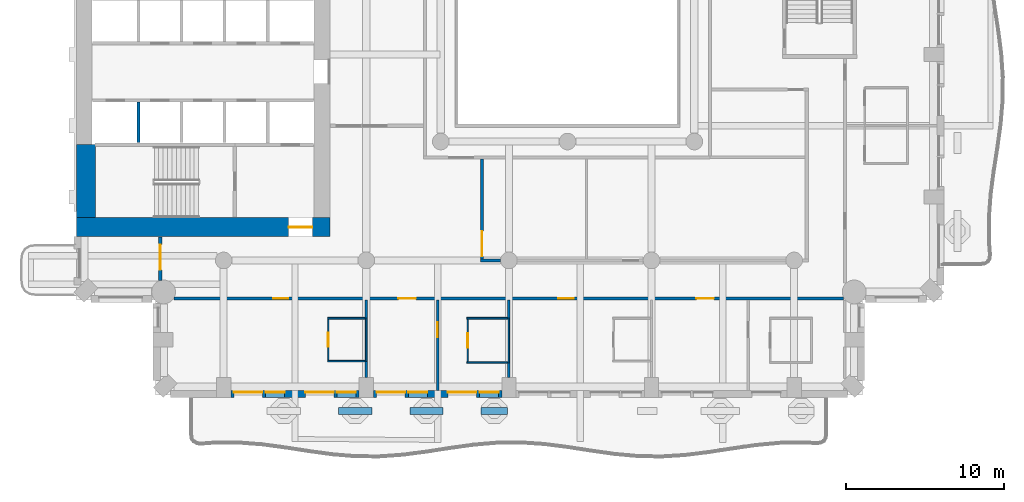
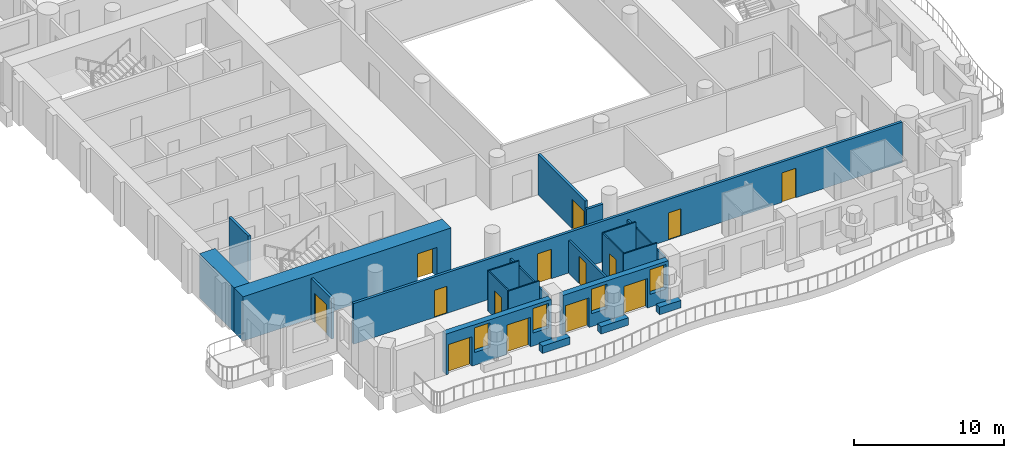
# One storey, part 3 of 19: 25 walls, 14 doors, 4 windows, 18 openings.
"""IFC4 building model written with IfcOpenShell, lengths in metres."""

from ifc_helpers import new_model, si_unit, direction, frame, frame_2d, origin, place, context, subcontext, project, spatial, rectangle, extrude, material, layer, layer_set, type_object, element, fill, save


model = new_model("IFC4")

# Units and contexts
model_context = context("Model", 3, precision=1e-05, world=origin(), true_north=direction((0.0, 1.0)))
body_context = subcontext(model_context, "Body", "Model", "MODEL_VIEW")
ifc_project = project(units=[si_unit("LENGTHUNIT", "METRE"), si_unit("AREAUNIT", "SQUARE_METRE"), si_unit("VOLUMEUNIT", "CUBIC_METRE"), si_unit("PLANEANGLEUNIT", "RADIAN"), si_unit("MASSUNIT", "GRAM", prefix="KILO")], contexts=[model_context])

# Site, building, storey
site_placement = place(None, origin())
site = spatial("IfcSite", under=ifc_project, at=site_placement, CompositionType="ELEMENT")
building_placement = place(site_placement, origin())
building = spatial("IfcBuilding", under=site, at=building_placement, Name="Cypress Arch Tower", CompositionType="ELEMENT")
storey_placement = place(building_placement, frame((0.0, 0.0, 105.89990234375)))
storey = spatial("IfcBuildingStorey", under=building, at=storey_placement, Name="L21", CompositionType="ELEMENT", Elevation=105.89990234375)

# Walls
ifc_material_1 = material(Name="Concrete C40/50, waterproofed", Category="concrete")
ifc_layer_1 = layer(ifc_material_1, 0.449951171875)
ifc_layer_set_1 = layer_set([ifc_layer_1], Name="Balcony planter wall PW450")
wall_type_1 = type_object("IfcWallType", Name="Balcony planter wall PW450", PredefinedType="SOLIDWALL", material=ifc_layer_set_1)
for number, where, z_axis, x_axis, name in (
    (1, (-13.449951171875, -27.0, 0.0), (0.0, 0.0, 1.0), (1.0, 0.0, 0.0), "Balcony planter wall L21-A03.2"),
    (2, (-8.949951171875, -27.0, 0.0), (0.0, 0.0, 1.0), (1.0, 0.0, 0.0), "Balcony planter wall L21-A03.3"),
):
    element("IfcWall", number, at=place(storey_placement, frame(where, z_axis=z_axis, x_axis=x_axis)), inside=storey, type_object=wall_type_1, Name=name, PredefinedType="SOLIDWALL", context=body_context, shape_type="SweptSolid", body=[
        extrude(rectangle(XDim=2.099853515625, YDim=0.449951171875, at=frame_2d((1.0498046875, 0.0))), origin(), (0.0, 0.0, 1.0), 0.60009765625),
    ])
wall_1_placement = place(storey_placement, frame((-4.449951171875, -27.0, 0.0), z_axis=(0.0, 0.0, 1.0), x_axis=(1.0, 0.0, 0.0)))
element("IfcWall", 3, at=wall_1_placement, inside=storey, type_object=wall_type_1, Name="Balcony planter wall L21-A03.4", PredefinedType="SOLIDWALL", context=body_context, shape_type="SweptSolid", body=[
    extrude(rectangle(XDim=1.64990234375, YDim=0.449951171875, at=frame_2d((0.824951171875, 0.0))), origin(), (0.0, 0.0, 1.0), 0.60009765625),
])

# Wall, openings, doors, windows
ifc_material_2 = material(Name="Brick (red buff blend)", Category="masonry")
ifc_layer_2 = layer(ifc_material_2, 0.449951171875)
ifc_layer_set_2 = layer_set([ifc_layer_2], Name="Brick pier and spandrel wall BW450")
wall_type_2 = type_object("IfcWallType", Name="Brick pier and spandrel wall BW450", PredefinedType="SOLIDWALL", material=ifc_layer_set_2)
wall_2_placement = place(storey_placement, frame((-20.25, -25.925048828125, 0.0), z_axis=(0.0, 0.0, 1.0), x_axis=(1.0, 0.0, 0.0)))
wall_2 = element("IfcWall", 4, at=wall_2_placement, inside=storey, type_object=wall_type_2, Name="Brick wall L21 A03.1", PredefinedType="SOLIDWALL", context=body_context, shape_type="SweptSolid", body=[
    extrude(rectangle(XDim=8.10009765625, YDim=0.449951171875, at=frame_2d((4.050048828125, 0.0))), origin(), (0.0, 0.0, 1.0), 3.300048828125),
])
opening_1_placement = place(wall_2_placement, frame((0.199951171875, 0.0, 0.0)))
opening_1 = element("IfcOpeningElement", 5, at=opening_1_placement, cuts=wall_2, Name="Opening D-L21-A03.1.1", PredefinedType="OPENING", context=body_context, shape_type="SweptSolid", body=[
    extrude(rectangle(XDim=1.800048828125, YDim=2.39990234375, at=frame_2d((0.89990234375, 1.199951171875))), frame((0.0, 0.23486328125, 0.0), z_axis=(0.0, -1.0, 0.0), x_axis=(1.0, 0.0, 0.0)), (0.0, 0.0, 1.0), 0.469970703125),
])
opening_2_placement = place(wall_2_placement, frame((2.199951171875, 0.0, 1.050048828125)))
opening_2 = element("IfcOpeningElement", 6, at=opening_2_placement, cuts=wall_2, Name="Opening W120HD", PredefinedType="OPENING", context=body_context, shape_type="SweptSolid", body=[
    extrude(rectangle(XDim=1.199951171875, YDim=2.0, at=frame_2d((0.60009765625, 1.0))), frame((0.0, 0.23486328125, 0.0), z_axis=(0.0, -1.0, 0.0), x_axis=(1.0, 0.0, 0.0)), (0.0, 0.0, 1.0), 0.469970703125),
])
opening_3_placement = place(wall_2_placement, frame((4.699951171875, 0.0, 0.0)))
opening_3 = element("IfcOpeningElement", 7, at=opening_3_placement, cuts=wall_2, Name="Opening D-L21-A03.1.2", PredefinedType="OPENING", context=body_context, shape_type="SweptSolid", body=[
    extrude(rectangle(XDim=1.800048828125, YDim=2.39990234375, at=frame_2d((0.89990234375, 1.199951171875))), frame((0.0, 0.23486328125, 0.0), z_axis=(0.0, -1.0, 0.0), x_axis=(1.0, 0.0, 0.0)), (0.0, 0.0, 1.0), 0.469970703125),
])
opening_4_placement = place(wall_2_placement, frame((6.699951171875, 0.0, 1.050048828125)))
opening_4 = element("IfcOpeningElement", 8, at=opening_4_placement, cuts=wall_2, Name="Opening W120HD", PredefinedType="OPENING", context=body_context, shape_type="SweptSolid", body=[
    extrude(rectangle(XDim=1.199951171875, YDim=2.0, at=frame_2d((0.60009765625, 1.0))), frame((0.0, 0.23486328125, 0.0), z_axis=(0.0, -1.0, 0.0), x_axis=(1.0, 0.0, 0.0)), (0.0, 0.0, 1.0), 0.469970703125),
])
ifc_material_3 = material(Name="Anodised aluminium, bronze finish, laminated low-emissivity double glazing, large-missile impact rated", Category="aluminium")
door_type_1 = type_object("IfcDoorType", Name="Balcony sliding door 1800x2400", OperationType="SLIDING_TO_LEFT", PredefinedType="DOOR", material=ifc_material_3)
door_1_placement = place(opening_1_placement, origin())
door_1 = element("IfcDoor", 9, at=door_1_placement, inside=storey, type_object=door_type_1, Name="Balcony door L21 A03.1.1", OperationType="SLIDING_TO_LEFT", OverallHeight=2.39990234375, OverallWidth=1.800048828125, PredefinedType="DOOR", context=body_context, shape_type="SweptSolid", body=[
    extrude(rectangle(XDim=1.800048828125, YDim=2.39990234375, at=frame_2d((0.89990234375, 1.199951171875))), frame((0.0, 0.1298828125, 0.0), z_axis=(0.0, -1.0, 0.0), x_axis=(1.0, 0.0, 0.0)), (0.0, 0.0, 1.0), 0.050048828125),
])
fill(opening_1, door_1)
door_2_placement = place(opening_3_placement, origin())
door_2 = element("IfcDoor", 10, at=door_2_placement, inside=storey, type_object=door_type_1, Name="Balcony door L21 A03.1.2", OperationType="SLIDING_TO_LEFT", OverallHeight=2.39990234375, OverallWidth=1.800048828125, PredefinedType="DOOR", context=body_context, shape_type="SweptSolid", body=[
    extrude(rectangle(XDim=1.800048828125, YDim=2.39990234375, at=frame_2d((0.89990234375, 1.199951171875))), frame((0.0, 0.1298828125, 0.0), z_axis=(0.0, -1.0, 0.0), x_axis=(1.0, 0.0, 0.0)), (0.0, 0.0, 1.0), 0.050048828125),
])
fill(opening_3, door_2)
ifc_material_4 = material(Name="Anodised aluminium, bronze finish, laminated low-emissivity double glazing, large-missile impact rated", Category="aluminium")
window_type = type_object("IfcWindowType", Name="Window Hotel 1200x2000 debris-rated", PartitioningType="SINGLE_PANEL", PredefinedType="WINDOW", material=ifc_material_4)
window_1_placement = place(opening_2_placement, origin())
window_1 = element("IfcWindow", 11, at=window_1_placement, inside=storey, type_object=window_type, Name="Window L21 A03.1.1", OverallHeight=2.0, OverallWidth=1.199951171875, PartitioningType="SINGLE_PANEL", PredefinedType="WINDOW", context=body_context, shape_type="SweptSolid", body=[
    extrude(rectangle(XDim=1.199951171875, YDim=2.0, at=frame_2d((0.60009765625, 1.0))), frame((0.0, 0.135009765625, 0.0), z_axis=(0.0, -1.0, 0.0), x_axis=(1.0, 0.0, 0.0)), (0.0, 0.0, 1.0), 0.06005859375),
])
fill(opening_2, window_1)
window_2_placement = place(opening_4_placement, origin())
window_2 = element("IfcWindow", 12, at=window_2_placement, inside=storey, type_object=window_type, Name="Window L21 A03.1.2", OverallHeight=2.0, OverallWidth=1.199951171875, PartitioningType="SINGLE_PANEL", PredefinedType="WINDOW", context=body_context, shape_type="SweptSolid", body=[
    extrude(rectangle(XDim=1.199951171875, YDim=2.0, at=frame_2d((0.60009765625, 1.0))), frame((0.0, 0.135009765625, 0.0), z_axis=(0.0, -1.0, 0.0), x_axis=(1.0, 0.0, 0.0)), (0.0, 0.0, 1.0), 0.06005859375),
])
fill(opening_4, window_2)

wall_3_placement = place(storey_placement, frame((-11.25, -25.925048828125, 0.0), z_axis=(0.0, 0.0, 1.0), x_axis=(1.0, 0.0, 0.0)))
wall_3 = element("IfcWall", 13, at=wall_3_placement, inside=storey, type_object=wall_type_2, Name="Brick wall L21 A03.2", PredefinedType="SOLIDWALL", context=body_context, shape_type="SweptSolid", body=[
    extrude(rectangle(XDim=8.10009765625, YDim=0.449951171875, at=frame_2d((4.050048828125, 0.0))), origin(), (0.0, 0.0, 1.0), 3.300048828125),
])
opening_5_placement = place(wall_3_placement, frame((0.199951171875, 0.0, 0.0)))
opening_5 = element("IfcOpeningElement", 14, at=opening_5_placement, cuts=wall_3, Name="Opening D-L21-A03.2.1", PredefinedType="OPENING", context=body_context, shape_type="SweptSolid", body=[
    extrude(rectangle(XDim=1.800048828125, YDim=2.39990234375, at=frame_2d((0.89990234375, 1.199951171875))), frame((0.0, 0.23486328125, 0.0), z_axis=(0.0, -1.0, 0.0), x_axis=(1.0, 0.0, 0.0)), (0.0, 0.0, 1.0), 0.469970703125),
])
opening_6_placement = place(wall_3_placement, frame((2.199951171875, 0.0, 1.050048828125)))
opening_6 = element("IfcOpeningElement", 15, at=opening_6_placement, cuts=wall_3, Name="Opening W120HD", PredefinedType="OPENING", context=body_context, shape_type="SweptSolid", body=[
    extrude(rectangle(XDim=1.199951171875, YDim=2.0, at=frame_2d((0.60009765625, 1.0))), frame((0.0, 0.23486328125, 0.0), z_axis=(0.0, -1.0, 0.0), x_axis=(1.0, 0.0, 0.0)), (0.0, 0.0, 1.0), 0.469970703125),
])
opening_7_placement = place(wall_3_placement, frame((4.699951171875, 0.0, 0.0)))
opening_7 = element("IfcOpeningElement", 16, at=opening_7_placement, cuts=wall_3, Name="Opening D-L21-A03.2.2", PredefinedType="OPENING", context=body_context, shape_type="SweptSolid", body=[
    extrude(rectangle(XDim=1.800048828125, YDim=2.39990234375, at=frame_2d((0.89990234375, 1.199951171875))), frame((0.0, 0.23486328125, 0.0), z_axis=(0.0, -1.0, 0.0), x_axis=(1.0, 0.0, 0.0)), (0.0, 0.0, 1.0), 0.469970703125),
])
opening_8_placement = place(wall_3_placement, frame((6.699951171875, 0.0, 1.050048828125)))
opening_8 = element("IfcOpeningElement", 17, at=opening_8_placement, cuts=wall_3, Name="Opening W120HD", PredefinedType="OPENING", context=body_context, shape_type="SweptSolid", body=[
    extrude(rectangle(XDim=1.199951171875, YDim=2.0, at=frame_2d((0.60009765625, 1.0))), frame((0.0, 0.23486328125, 0.0), z_axis=(0.0, -1.0, 0.0), x_axis=(1.0, 0.0, 0.0)), (0.0, 0.0, 1.0), 0.469970703125),
])
door_3_placement = place(opening_5_placement, origin())
door_3 = element("IfcDoor", 18, at=door_3_placement, inside=storey, type_object=door_type_1, Name="Balcony door L21 A03.2.1", OperationType="SLIDING_TO_LEFT", OverallHeight=2.39990234375, OverallWidth=1.800048828125, PredefinedType="DOOR", context=body_context, shape_type="SweptSolid", body=[
    extrude(rectangle(XDim=1.800048828125, YDim=2.39990234375, at=frame_2d((0.89990234375, 1.199951171875))), frame((0.0, 0.1298828125, 0.0), z_axis=(0.0, -1.0, 0.0), x_axis=(1.0, 0.0, 0.0)), (0.0, 0.0, 1.0), 0.050048828125),
])
fill(opening_5, door_3)
door_4_placement = place(opening_7_placement, origin())
door_4 = element("IfcDoor", 19, at=door_4_placement, inside=storey, type_object=door_type_1, Name="Balcony door L21 A03.2.2", OperationType="SLIDING_TO_LEFT", OverallHeight=2.39990234375, OverallWidth=1.800048828125, PredefinedType="DOOR", context=body_context, shape_type="SweptSolid", body=[
    extrude(rectangle(XDim=1.800048828125, YDim=2.39990234375, at=frame_2d((0.89990234375, 1.199951171875))), frame((0.0, 0.1298828125, 0.0), z_axis=(0.0, -1.0, 0.0), x_axis=(1.0, 0.0, 0.0)), (0.0, 0.0, 1.0), 0.050048828125),
])
fill(opening_7, door_4)
window_3_placement = place(opening_6_placement, origin())
window_3 = element("IfcWindow", 20, at=window_3_placement, inside=storey, type_object=window_type, Name="Window L21 A03.2.1", OverallHeight=2.0, OverallWidth=1.199951171875, PartitioningType="SINGLE_PANEL", PredefinedType="WINDOW", context=body_context, shape_type="SweptSolid", body=[
    extrude(rectangle(XDim=1.199951171875, YDim=2.0, at=frame_2d((0.60009765625, 1.0))), frame((0.0, 0.135009765625, 0.0), z_axis=(0.0, -1.0, 0.0), x_axis=(1.0, 0.0, 0.0)), (0.0, 0.0, 1.0), 0.06005859375),
])
fill(opening_6, window_3)
window_4_placement = place(opening_8_placement, origin())
window_4 = element("IfcWindow", 21, at=window_4_placement, inside=storey, type_object=window_type, Name="Window L21 A03.2.2", OverallHeight=2.0, OverallWidth=1.199951171875, PartitioningType="SINGLE_PANEL", PredefinedType="WINDOW", context=body_context, shape_type="SweptSolid", body=[
    extrude(rectangle(XDim=1.199951171875, YDim=2.0, at=frame_2d((0.60009765625, 1.0))), frame((0.0, 0.135009765625, 0.0), z_axis=(0.0, -1.0, 0.0), x_axis=(1.0, 0.0, 0.0)), (0.0, 0.0, 1.0), 0.06005859375),
])
fill(opening_8, window_4)

# Wall, opening, door
ifc_material_5 = material(Name="Concrete C80/95", Category="concrete")
ifc_layer_3 = layer(ifc_material_5, 1.199951171875)
ifc_layer_set_3 = layer_set([ifc_layer_3], Name="Core wall CW1200 C80/95")
wall_type_3 = type_object("IfcWallType", Name="Core wall CW1200 C80/95", PredefinedType="SHEAR", material=ifc_layer_set_3)
wall_4_placement = place(storey_placement, frame((-30.0, -15.39990234375, 0.0), z_axis=(0.0, 0.0, 1.0), x_axis=(1.0, 0.0, 0.0)))
wall_4 = element("IfcWall", 22, at=wall_4_placement, inside=storey, type_object=wall_type_3, Name="Core wall", PredefinedType="SHEAR", context=body_context, shape_type="SweptSolid", body=[
    extrude(rectangle(XDim=16.0, YDim=1.199951171875, at=frame_2d((8.0, 0.0))), origin(), (0.0, 0.0, 1.0), 3.60009765625),
])
opening_9_placement = place(wall_4_placement, frame((13.39990234375, 0.0, 0.0)))
opening_9 = element("IfcOpeningElement", 23, at=opening_9_placement, cuts=wall_4, Name="Opening D07", PredefinedType="OPENING", context=body_context, shape_type="SweptSolid", body=[
    extrude(rectangle(XDim=1.5, YDim=2.39990234375, at=frame_2d((0.75, 1.199951171875))), frame((0.0, 0.60986328125, 0.0), z_axis=(0.0, -1.0, 0.0), x_axis=(1.0, 0.0, 0.0)), (0.0, 0.0, 1.0), 1.219970703125),
])
ifc_material_6 = material(Name="Steel framed glazed door, fire resisting", Category="steel")
door_type_2 = type_object("IfcDoorType", Name="Lobby door D07 1500x2400", OperationType="DOUBLE_DOOR_SINGLE_SWING", PredefinedType="DOOR", material=ifc_material_6)
door_5_placement = place(opening_9_placement, origin())
door_5 = element("IfcDoor", 24, at=door_5_placement, inside=storey, type_object=door_type_2, Name="Lobby door", OperationType="DOUBLE_DOOR_SINGLE_SWING", OverallHeight=2.39990234375, OverallWidth=1.5, PredefinedType="DOOR", context=body_context, shape_type="SweptSolid", body=[
    extrude(rectangle(XDim=1.5, YDim=2.39990234375, at=frame_2d((0.75, 1.199951171875))), frame((0.0, 0.02490234375, 0.0), z_axis=(0.0, -1.0, 0.0), x_axis=(1.0, 0.0, 0.0)), (0.0, 0.0, 1.0), 0.050048828125),
])
fill(opening_9, door_5)

# Wall
wall_5_placement = place(storey_placement, frame((-29.39990234375, -14.800048828125, 0.0), z_axis=(0.0, 0.0, 1.0), x_axis=(0.0, 1.0, 0.0)))
element("IfcWall", 25, at=wall_5_placement, inside=storey, type_object=wall_type_3, Name="Core wall", PredefinedType="SHEAR", context=body_context, shape_type="SweptSolid", body=[
    extrude(rectangle(XDim=4.60009765625, YDim=1.199951171875, at=frame_2d((2.300048828125, 0.0))), origin(), (0.0, 0.0, 1.0), 3.60009765625),
])

# Wall, opening, door
ifc_material_7 = material(Name="Concrete blockwork, plastered, rated", Category="masonry")
ifc_layer_4 = layer(ifc_material_7, 0.199951171875)
ifc_layer_set_4 = layer_set([ifc_layer_4], Name="Corridor wall FW200")
wall_type_4 = type_object("IfcWallType", Name="Corridor wall FW200", PredefinedType="PARTITIONING", material=ifc_layer_set_4)
wall_6_placement = place(storey_placement, frame((-24.699951171875, -18.752197265625, 0.0), z_axis=(0.0, 0.0, 1.0), x_axis=(0.0, 1.0, 0.0)))
wall_6 = element("IfcWall", 26, at=wall_6_placement, inside=storey, type_object=wall_type_4, Name="Corridor wall", PredefinedType="PARTITIONING", context=body_context, shape_type="SweptSolid", body=[
    extrude(rectangle(XDim=2.72216796875, YDim=0.199951171875, at=frame_2d((1.361083984375, 0.0))), origin(), (0.0, 0.0, 1.0), 3.300048828125),
])
opening_10_placement = place(wall_6_placement, frame((0.64990234375, 0.0, 0.0)))
opening_10 = element("IfcOpeningElement", 27, at=opening_10_placement, cuts=wall_6, Name="Opening D10", PredefinedType="OPENING", context=body_context, shape_type="SweptSolid", body=[
    extrude(rectangle(XDim=1.60009765625, YDim=2.39990234375, at=frame_2d((0.800048828125, 1.199951171875))), frame((0.0, 0.10986328125, 0.0), z_axis=(0.0, -1.0, 0.0), x_axis=(1.0, 0.0, 0.0)), (0.0, 0.0, 1.0), 0.219970703125),
])
ifc_material_8 = material(Name="Black aluminium glazed door", Category="aluminium")
door_type_3 = type_object("IfcDoorType", Name="Amenity door D10 1600x2400", OperationType="DOUBLE_DOOR_SINGLE_SWING", PredefinedType="DOOR", material=ifc_material_8)
door_6_placement = place(opening_10_placement, origin())
door_6 = element("IfcDoor", 28, at=door_6_placement, inside=storey, type_object=door_type_3, Name="Amenity door", OperationType="DOUBLE_DOOR_SINGLE_SWING", OverallHeight=2.39990234375, OverallWidth=1.60009765625, PredefinedType="DOOR", context=body_context, shape_type="SweptSolid", body=[
    extrude(rectangle(XDim=1.60009765625, YDim=2.39990234375, at=frame_2d((0.800048828125, 1.199951171875))), frame((0.0, 0.02490234375, 0.0), z_axis=(0.0, -1.0, 0.0), x_axis=(1.0, 0.0, 0.0)), (0.0, 0.0, 1.0), 0.050048828125),
])
fill(opening_10, door_6)

# Wall, openings, doors
wall_7_placement = place(storey_placement, frame((-23.82177734375, -19.89990234375, 0.0), z_axis=(0.0, 0.0, 1.0), x_axis=(1.0, 0.0, 0.0)))
wall_7 = element("IfcWall", 29, at=wall_7_placement, inside=storey, type_object=wall_type_4, Name="Corridor wall", PredefinedType="PARTITIONING", context=body_context, shape_type="SweptSolid", body=[
    extrude(rectangle(XDim=42.2216796875, YDim=0.199951171875, at=frame_2d((21.11083984375, 0.0))), origin(), (0.0, 0.0, 1.0), 3.300048828125),
])
opening_11_placement = place(wall_7_placement, frame((6.25, 0.0, 0.0)))
opening_11 = element("IfcOpeningElement", 30, at=opening_11_placement, cuts=wall_7, Name="Opening D02", PredefinedType="OPENING", context=body_context, shape_type="SweptSolid", body=[
    extrude(rectangle(XDim=0.949951171875, YDim=2.199951171875, at=frame_2d((0.47509765625, 1.10009765625))), frame((0.0, 0.10986328125, 0.0), z_axis=(0.0, -1.0, 0.0), x_axis=(1.0, 0.0, 0.0)), (0.0, 0.0, 1.0), 0.219970703125),
])
opening_12_placement = place(wall_7_placement, frame((14.14990234375, 0.0, 0.0)))
opening_12 = element("IfcOpeningElement", 31, at=opening_12_placement, cuts=wall_7, Name="Opening D01", PredefinedType="OPENING", context=body_context, shape_type="SweptSolid", body=[
    extrude(rectangle(XDim=1.10009765625, YDim=2.39990234375, at=frame_2d((0.550048828125, 1.199951171875))), frame((0.0, 0.10986328125, 0.0), z_axis=(0.0, -1.0, 0.0), x_axis=(1.0, 0.0, 0.0)), (0.0, 0.0, 1.0), 0.219970703125),
])
opening_13_placement = place(wall_7_placement, frame((24.25, 0.0, 0.0)))
opening_13 = element("IfcOpeningElement", 32, at=opening_13_placement, cuts=wall_7, Name="Opening D02", PredefinedType="OPENING", context=body_context, shape_type="SweptSolid", body=[
    extrude(rectangle(XDim=0.949951171875, YDim=2.199951171875, at=frame_2d((0.47509765625, 1.10009765625))), frame((0.0, 0.10986328125, 0.0), z_axis=(0.0, -1.0, 0.0), x_axis=(1.0, 0.0, 0.0)), (0.0, 0.0, 1.0), 0.219970703125),
])
opening_14_placement = place(wall_7_placement, frame((32.949951171875, 0.0, 0.0)))
opening_14 = element("IfcOpeningElement", 33, at=opening_14_placement, cuts=wall_7, Name="Opening D01", PredefinedType="OPENING", context=body_context, shape_type="SweptSolid", body=[
    extrude(rectangle(XDim=1.10009765625, YDim=2.39990234375, at=frame_2d((0.550048828125, 1.199951171875))), frame((0.0, 0.10986328125, 0.0), z_axis=(0.0, -1.0, 0.0), x_axis=(1.0, 0.0, 0.0)), (0.0, 0.0, 1.0), 0.219970703125),
])
ifc_material_9 = material(Name="Timber flush door, fire resisting", Category="wood")
door_type_4 = type_object("IfcDoorType", Name="Room door D02 950x2200", OperationType="SINGLE_SWING_LEFT", PredefinedType="DOOR", material=ifc_material_9)
door_7_placement = place(opening_11_placement, origin())
door_7 = element("IfcDoor", 34, at=door_7_placement, inside=storey, type_object=door_type_4, Name="Room door", OperationType="SINGLE_SWING_RIGHT", OverallHeight=2.199951171875, OverallWidth=0.949951171875, PredefinedType="DOOR", context=body_context, shape_type="SweptSolid", body=[
    extrude(rectangle(XDim=0.949951171875, YDim=2.199951171875, at=frame_2d((0.47509765625, 1.10009765625))), frame((0.0, 0.02490234375, 0.0), z_axis=(0.0, -1.0, 0.0), x_axis=(1.0, 0.0, 0.0)), (0.0, 0.0, 1.0), 0.050048828125),
])
fill(opening_11, door_7)
door_8_placement = place(opening_13_placement, origin())
door_8 = element("IfcDoor", 35, at=door_8_placement, inside=storey, type_object=door_type_4, Name="Room door", OperationType="SINGLE_SWING_LEFT", OverallHeight=2.199951171875, OverallWidth=0.949951171875, PredefinedType="DOOR", context=body_context, shape_type="SweptSolid", body=[
    extrude(rectangle(XDim=0.949951171875, YDim=2.199951171875, at=frame_2d((0.47509765625, 1.10009765625))), frame((0.0, 0.02490234375, 0.0), z_axis=(0.0, -1.0, 0.0), x_axis=(1.0, 0.0, 0.0)), (0.0, 0.0, 1.0), 0.050048828125),
])
fill(opening_13, door_8)
ifc_material_10 = material(Name="Timber flush door, fire resisting, self-closing", Category="wood")
door_type_5 = type_object("IfcDoorType", Name="Unit entrance door D01 1100x2400", OperationType="SINGLE_SWING_LEFT", PredefinedType="DOOR", material=ifc_material_10)
door_9_placement = place(opening_12_placement, origin())
door_9 = element("IfcDoor", 36, at=door_9_placement, inside=storey, type_object=door_type_5, Name="Unit entrance door", OperationType="SINGLE_SWING_LEFT", OverallHeight=2.39990234375, OverallWidth=1.10009765625, PredefinedType="DOOR", context=body_context, shape_type="SweptSolid", body=[
    extrude(rectangle(XDim=1.10009765625, YDim=2.39990234375, at=frame_2d((0.550048828125, 1.199951171875))), frame((0.0, 0.02490234375, 0.0), z_axis=(0.0, -1.0, 0.0), x_axis=(1.0, 0.0, 0.0)), (0.0, 0.0, 1.0), 0.050048828125),
])
fill(opening_12, door_9)
door_10_placement = place(opening_14_placement, origin())
door_10 = element("IfcDoor", 37, at=door_10_placement, inside=storey, type_object=door_type_5, Name="Unit entrance door", OperationType="SINGLE_SWING_LEFT", OverallHeight=2.39990234375, OverallWidth=1.10009765625, PredefinedType="DOOR", context=body_context, shape_type="SweptSolid", body=[
    extrude(rectangle(XDim=1.10009765625, YDim=2.39990234375, at=frame_2d((0.550048828125, 1.199951171875))), frame((0.0, 0.02490234375, 0.0), z_axis=(0.0, -1.0, 0.0), x_axis=(1.0, 0.0, 0.0)), (0.0, 0.0, 1.0), 0.050048828125),
])
fill(opening_14, door_10)

# Wall, opening, door
wall_8_placement = place(storey_placement, frame((-4.39990234375, -17.39990234375, 0.0), z_axis=(0.0, 0.0, 1.0), x_axis=(0.0, 1.0, 0.0)))
wall_8 = element("IfcWall", 38, at=wall_8_placement, inside=storey, type_object=wall_type_4, Name="Corridor wall", PredefinedType="PARTITIONING", context=body_context, shape_type="SweptSolid", body=[
    extrude(rectangle(XDim=6.2998046875, YDim=0.199951171875, at=frame_2d((3.14990234375, 0.0))), origin(), (0.0, 0.0, 1.0), 3.300048828125),
])
opening_15_placement = place(wall_8_placement, frame((0.14990234375, 0.0, 0.0)))
opening_15 = element("IfcOpeningElement", 39, at=opening_15_placement, cuts=wall_8, Name="Opening D10", PredefinedType="OPENING", context=body_context, shape_type="SweptSolid", body=[
    extrude(rectangle(XDim=1.60009765625, YDim=2.39990234375, at=frame_2d((0.800048828125, 1.199951171875))), frame((0.0, 0.10986328125, 0.0), z_axis=(0.0, -1.0, 0.0), x_axis=(1.0, 0.0, 0.0)), (0.0, 0.0, 1.0), 0.219970703125),
])
door_11_placement = place(opening_15_placement, origin())
door_11 = element("IfcDoor", 40, at=door_11_placement, inside=storey, type_object=door_type_3, Name="Amenity door", OperationType="DOUBLE_DOOR_SINGLE_SWING", OverallHeight=2.39990234375, OverallWidth=1.60009765625, PredefinedType="DOOR", context=body_context, shape_type="SweptSolid", body=[
    extrude(rectangle(XDim=1.60009765625, YDim=2.39990234375, at=frame_2d((0.800048828125, 1.199951171875))), frame((0.0, 0.02490234375, 0.0), z_axis=(0.0, -1.0, 0.0), x_axis=(1.0, 0.0, 0.0)), (0.0, 0.0, 1.0), 0.050048828125),
])
fill(opening_15, door_11)

# Walls
wall_9_placement = place(storey_placement, frame((-4.5, -17.5, 0.0), z_axis=(0.0, 0.0, 1.0), x_axis=(1.0, 0.0, 0.0)))
element("IfcWall", 41, at=wall_9_placement, inside=storey, type_object=wall_type_4, Name="Corridor wall", PredefinedType="PARTITIONING", context=body_context, shape_type="SweptSolid", body=[
    extrude(rectangle(XDim=1.27490234375, YDim=0.199951171875, at=frame_2d((0.637451171875, 0.0))), origin(), (0.0, 0.0, 1.0), 2.75),
])
ifc_material_11 = material(Name="Blockwork, plastered both sides", Category="masonry")
ifc_layer_5 = layer(ifc_material_11, 0.14990234375)
ifc_layer_set_5 = layer_set([ifc_layer_5], Name="Partition PW150")
wall_type_5 = type_object("IfcWallType", Name="Partition PW150", PredefinedType="PARTITIONING", material=ifc_layer_set_5)
wall_10_placement = place(storey_placement, frame((-11.699951171875, -24.89990234375, 0.0), z_axis=(0.0, 0.0, 1.0), x_axis=(0.0, 1.0, 0.0)))
element("IfcWall", 42, at=wall_10_placement, inside=storey, type_object=wall_type_5, Name="Partition", PredefinedType="PARTITIONING", context=body_context, shape_type="SweptSolid", body=[
    extrude(rectangle(XDim=1.02978515625, YDim=0.14990234375, at=frame_2d((0.514892578125, 0.0))), origin(), (0.0, 0.0, 1.0), 2.75),
])
wall_11_placement = place(storey_placement, frame((-11.699951171875, -21.1298828125, 0.0), z_axis=(0.0, 0.0, 1.0), x_axis=(0.0, 1.0, 0.0)))
element("IfcWall", 43, at=wall_11_placement, inside=storey, type_object=wall_type_5, Name="Partition", PredefinedType="PARTITIONING", context=body_context, shape_type="SweptSolid", body=[
    extrude(rectangle(XDim=1.1298828125, YDim=0.14990234375, at=frame_2d((0.56494140625, 0.0))), origin(), (0.0, 0.0, 1.0), 2.75),
])

# Wall, opening, door
wall_12_placement = place(storey_placement, frame((-7.199951171875, -25.699951171875, 0.0), z_axis=(0.0, 0.0, 1.0), x_axis=(0.0, 1.0, 0.0)))
wall_12 = element("IfcWall", 44, at=wall_12_placement, inside=storey, type_object=wall_type_5, Name="Partition", PredefinedType="PARTITIONING", context=body_context, shape_type="SweptSolid", body=[
    extrude(rectangle(XDim=5.699951171875, YDim=0.14990234375, at=frame_2d((2.85009765625, 0.0))), origin(), (0.0, 0.0, 1.0), 2.650146484375),
])
opening_16_placement = place(wall_12_placement, frame((3.35009765625, 0.0, 0.0)))
opening_16 = element("IfcOpeningElement", 45, at=opening_16_placement, cuts=wall_12, Name="Opening D12", PredefinedType="OPENING", context=body_context, shape_type="SweptSolid", body=[
    extrude(rectangle(XDim=0.949951171875, YDim=2.199951171875, at=frame_2d((0.47509765625, 1.10009765625))), frame((0.0, 0.0849609375, 0.0), z_axis=(0.0, -1.0, 0.0), x_axis=(1.0, 0.0, 0.0)), (0.0, 0.0, 1.0), 0.169921875),
])
ifc_material_12 = material(Name="Timber flush door", Category="wood")
door_type_6 = type_object("IfcDoorType", Name="Room door D12 950x2200", OperationType="SINGLE_SWING_LEFT", PredefinedType="DOOR", material=ifc_material_12)
door_12_placement = place(opening_16_placement, origin())
door_12 = element("IfcDoor", 46, at=door_12_placement, inside=storey, type_object=door_type_6, Name="Room door", OperationType="SINGLE_SWING_RIGHT", OverallHeight=2.199951171875, OverallWidth=0.949951171875, PredefinedType="DOOR", context=body_context, shape_type="SweptSolid", body=[
    extrude(rectangle(XDim=0.949951171875, YDim=2.199951171875, at=frame_2d((0.47509765625, 1.10009765625))), frame((0.0, 0.02490234375, 0.0), z_axis=(0.0, -1.0, 0.0), x_axis=(1.0, 0.0, 0.0)), (0.0, 0.0, 1.0), 0.050048828125),
])
fill(opening_16, door_12)

# Walls
wall_13_placement = place(storey_placement, frame((-2.699951171875, -24.89990234375, 0.0), z_axis=(0.0, 0.0, 1.0), x_axis=(0.0, 1.0, 0.0)))
element("IfcWall", 47, at=wall_13_placement, inside=storey, type_object=wall_type_5, Name="Partition", PredefinedType="PARTITIONING", context=body_context, shape_type="SweptSolid", body=[
    extrude(rectangle(XDim=0.929931640625, YDim=0.14990234375, at=frame_2d((0.46484375, 0.0))), origin(), (0.0, 0.0, 1.0), 2.75),
])
wall_14_placement = place(storey_placement, frame((-2.699951171875, -21.1298828125, 0.0), z_axis=(0.0, 0.0, 1.0), x_axis=(0.0, 1.0, 0.0)))
element("IfcWall", 48, at=wall_14_placement, inside=storey, type_object=wall_type_5, Name="Partition", PredefinedType="PARTITIONING", context=body_context, shape_type="SweptSolid", body=[
    extrude(rectangle(XDim=1.1298828125, YDim=0.14990234375, at=frame_2d((0.56494140625, 0.0))), origin(), (0.0, 0.0, 1.0), 2.75),
])
ifc_material_13 = material(Name="Concrete C50/60", Category="concrete")
ifc_layer_6 = layer(ifc_material_13, 0.199951171875)
ifc_layer_set_6 = layer_set([ifc_layer_6], Name="Shaft wall SH200")
wall_type_6 = type_object("IfcWallType", Name="Shaft wall SH200", PredefinedType="SHEAR", material=ifc_layer_set_6)
wall_15_placement = place(storey_placement, frame((-26.080078125, -10.074951171875, 0.0), z_axis=(0.0, 0.0, 1.0), x_axis=(0.0, 1.0, 0.0)))
element("IfcWall", 49, at=wall_15_placement, inside=storey, type_object=wall_type_6, Name="Shaft wall", PredefinedType="SHEAR", context=body_context, shape_type="SweptSolid", body=[
    extrude(rectangle(XDim=2.574951171875, YDim=0.199951171875, at=frame_2d((1.28759765625, 0.0))), origin(), (0.0, 0.0, 1.0), 3.60009765625),
])

# Wall, opening, door
ifc_material_14 = material(Name="Moisture resistant board on steel studs, tiled", Category="steel")
ifc_layer_7 = layer(ifc_material_14, 0.10009765625)
ifc_layer_set_7 = layer_set([ifc_layer_7], Name="Wet wall PW100")
wall_type_7 = type_object("IfcWallType", Name="Wet wall PW100", PredefinedType="PARTITIONING", material=ifc_layer_set_7)
wall_16_placement = place(storey_placement, frame((-14.095947265625, -23.800048828125, 0.0), z_axis=(0.0, 0.0, 1.0), x_axis=(0.0, 1.0, 0.0)))
wall_16 = element("IfcWall", 50, at=wall_16_placement, inside=storey, type_object=wall_type_7, Name="Wet wall", PredefinedType="PARTITIONING", context=body_context, shape_type="SweptSolid", body=[
    extrude(rectangle(XDim=2.60009765625, YDim=0.10009765625, at=frame_2d((1.300048828125, 0.0))), origin(), (0.0, 0.0, 1.0), 3.300048828125),
])
opening_17_placement = place(wall_16_placement, frame((0.85009765625, 0.0, 0.0)))
opening_17 = element("IfcOpeningElement", 51, at=opening_17_placement, cuts=wall_16, Name="Opening D03", PredefinedType="OPENING", context=body_context, shape_type="SweptSolid", body=[
    extrude(rectangle(XDim=0.89990234375, YDim=2.199951171875, at=frame_2d((0.449951171875, 1.10009765625))), frame((0.0, 0.06005859375, 0.0), z_axis=(0.0, -1.0, 0.0), x_axis=(1.0, 0.0, 0.0)), (0.0, 0.0, 1.0), 0.1201171875),
])
ifc_material_15 = material(Name="Timber flush door, moisture resistant", Category="wood")
door_type_7 = type_object("IfcDoorType", Name="Bathroom door D03 900x2200", OperationType="SINGLE_SWING_LEFT", PredefinedType="DOOR", material=ifc_material_15)
door_13_placement = place(opening_17_placement, origin())
door_13 = element("IfcDoor", 52, at=door_13_placement, inside=storey, type_object=door_type_7, Name="Bathroom door", OperationType="SINGLE_SWING_RIGHT", OverallHeight=2.199951171875, OverallWidth=0.89990234375, PredefinedType="DOOR", context=body_context, shape_type="SweptSolid", body=[
    extrude(rectangle(XDim=0.89990234375, YDim=2.199951171875, at=frame_2d((0.449951171875, 1.10009765625))), frame((0.0, 0.02490234375, 0.0), z_axis=(0.0, -1.0, 0.0), x_axis=(1.0, 0.0, 0.0)), (0.0, 0.0, 1.0), 0.050048828125),
])
fill(opening_17, door_13)

# Walls
for number, where, z_axis, x_axis, name in (
    (53, (-14.14599609375, -23.85009765625, 0.0), (0.0, 0.0, 1.0), (1.0, 0.0, 0.0), "Wet wall"),
    (54, (-14.14599609375, -21.14990234375, 0.0), (0.0, 0.0, 1.0), (1.0, 0.0, 0.0), "Wet wall"),
):
    element("IfcWall", number, at=place(storey_placement, frame(where, z_axis=z_axis, x_axis=x_axis)), inside=storey, type_object=wall_type_7, Name=name, PredefinedType="PARTITIONING", context=body_context, shape_type="SweptSolid", body=[
        extrude(rectangle(XDim=2.37109375, YDim=0.10009765625, at=frame_2d((1.185546875, 0.0))), origin(), (0.0, 0.0, 1.0), 3.300048828125),
    ])
wall_17_placement = place(storey_placement, frame((-11.699951171875, -23.8701171875, 0.0), z_axis=(0.0, 0.0, 1.0), x_axis=(0.0, 1.0, 0.0)))
element("IfcWall", 55, at=wall_17_placement, inside=storey, type_object=wall_type_7, Name="Wet wall", PredefinedType="PARTITIONING", context=body_context, shape_type="SweptSolid", body=[
    extrude(rectangle(XDim=2.740234375, YDim=0.10009765625, at=frame_2d((1.3701171875, 0.0))), origin(), (0.0, 0.0, 1.0), 2.75),
])

# Wall, opening, door
wall_18_placement = place(storey_placement, frame((-5.2958984375, -23.89990234375, 0.0), z_axis=(0.0, 0.0, 1.0), x_axis=(0.0, 1.0, 0.0)))
wall_18 = element("IfcWall", 56, at=wall_18_placement, inside=storey, type_object=wall_type_7, Name="Wet wall", PredefinedType="PARTITIONING", context=body_context, shape_type="SweptSolid", body=[
    extrude(rectangle(XDim=2.699951171875, YDim=0.10009765625, at=frame_2d((1.35009765625, 0.0))), origin(), (0.0, 0.0, 1.0), 3.300048828125),
])
opening_18_placement = place(wall_18_placement, frame((0.89990234375, 0.0, 0.0)))
opening_18 = element("IfcOpeningElement", 57, at=opening_18_placement, cuts=wall_18, Name="Opening D03", PredefinedType="OPENING", context=body_context, shape_type="SweptSolid", body=[
    extrude(rectangle(XDim=0.89990234375, YDim=2.199951171875, at=frame_2d((0.449951171875, 1.10009765625))), frame((0.0, 0.06005859375, 0.0), z_axis=(0.0, -1.0, 0.0), x_axis=(1.0, 0.0, 0.0)), (0.0, 0.0, 1.0), 0.1201171875),
])
door_14_placement = place(opening_18_placement, origin())
door_14 = element("IfcDoor", 58, at=door_14_placement, inside=storey, type_object=door_type_7, Name="Bathroom door", OperationType="SINGLE_SWING_LEFT", OverallHeight=2.199951171875, OverallWidth=0.89990234375, PredefinedType="DOOR", context=body_context, shape_type="SweptSolid", body=[
    extrude(rectangle(XDim=0.89990234375, YDim=2.199951171875, at=frame_2d((0.449951171875, 1.10009765625))), frame((0.0, 0.02490234375, 0.0), z_axis=(0.0, -1.0, 0.0), x_axis=(1.0, 0.0, 0.0)), (0.0, 0.0, 1.0), 0.050048828125),
])
fill(opening_18, door_14)

# Walls
for number, where, z_axis, x_axis, name in (
    (59, (-5.345947265625, -23.949951171875, 0.0), (0.0, 0.0, 1.0), (1.0, 0.0, 0.0), "Wet wall"),
    (60, (-5.345947265625, -21.14990234375, 0.0), (0.0, 0.0, 1.0), (1.0, 0.0, 0.0), "Wet wall"),
):
    element("IfcWall", number, at=place(storey_placement, frame(where, z_axis=z_axis, x_axis=x_axis)), inside=storey, type_object=wall_type_7, Name=name, PredefinedType="PARTITIONING", context=body_context, shape_type="SweptSolid", body=[
        extrude(rectangle(XDim=2.571044921875, YDim=0.10009765625, at=frame_2d((1.28564453125, 0.0))), origin(), (0.0, 0.0, 1.0), 3.300048828125),
    ])
wall_19_placement = place(storey_placement, frame((-2.699951171875, -23.969970703125, 0.0), z_axis=(0.0, 0.0, 1.0), x_axis=(0.0, 1.0, 0.0)))
element("IfcWall", 61, at=wall_19_placement, inside=storey, type_object=wall_type_7, Name="Wet wall", PredefinedType="PARTITIONING", context=body_context, shape_type="SweptSolid", body=[
    extrude(rectangle(XDim=2.840087890625, YDim=0.10009765625, at=frame_2d((1.419921875, 0.0))), origin(), (0.0, 0.0, 1.0), 2.75),
])

save(model, "model.ifc")
